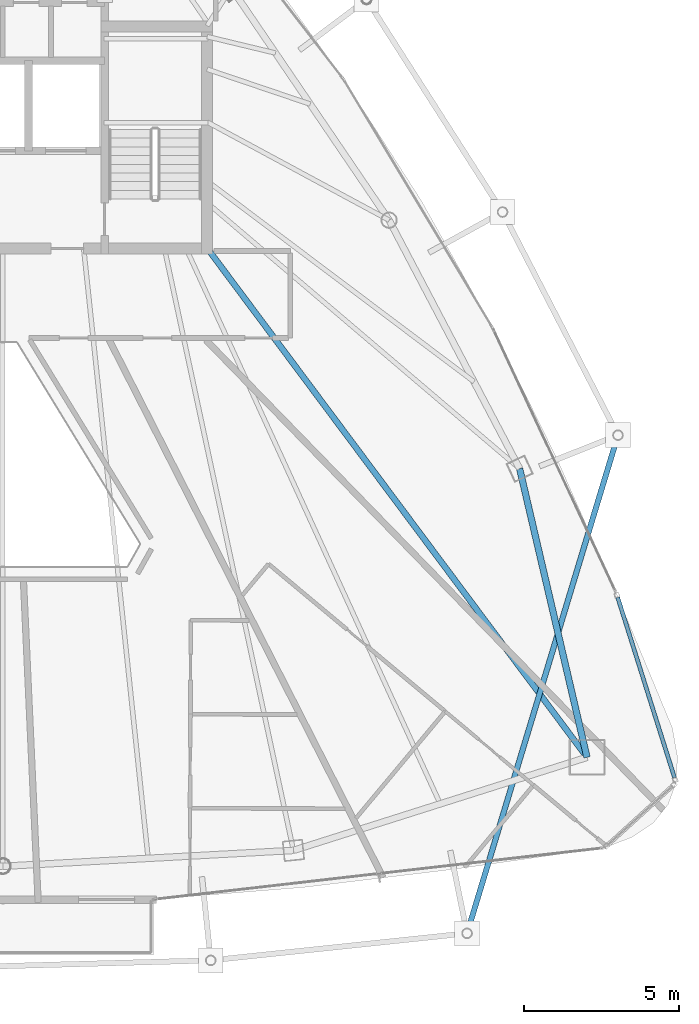
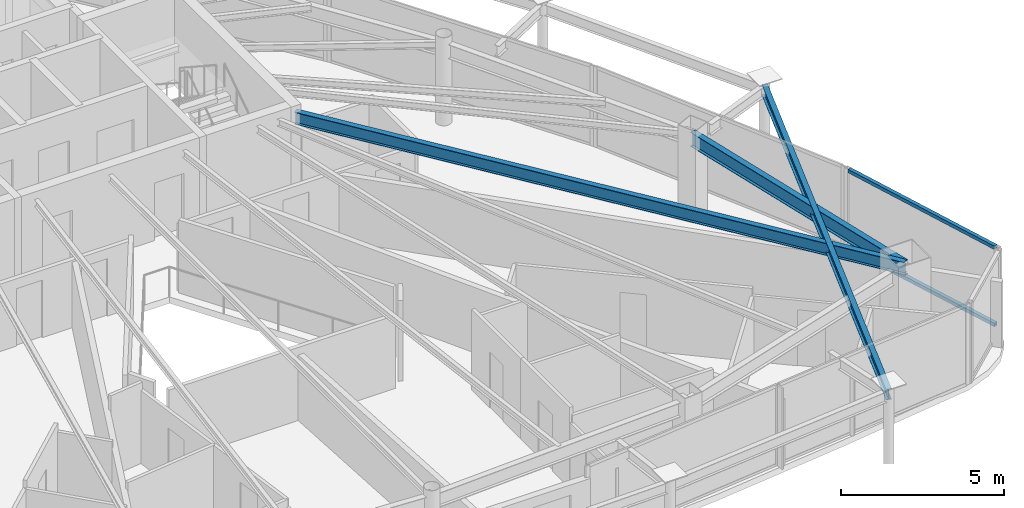
# One storey, part 15 of 30: 3 beams, 2 members, 1 element without a shape of its own.
"""IFC4 building model written with IfcOpenShell, lengths in metres."""

from ifc_helpers import new_model, si_unit, direction, frame, origin, origin_2d, place, context, subcontext, project, spatial, hollow_rectangle, i_section, extrude, material, layer, layer_set, material_profile, profile_set, type_object, element, aggregate, save


model = new_model("IFC4")

# Units and contexts
model_context = context("Model", 3, precision=1e-05, world=origin(), true_north=direction((0.0, 1.0)))
body_context = subcontext(model_context, "Body", "Model", "MODEL_VIEW")
ifc_project = project(units=[si_unit("LENGTHUNIT", "METRE"), si_unit("AREAUNIT", "SQUARE_METRE"), si_unit("VOLUMEUNIT", "CUBIC_METRE"), si_unit("PLANEANGLEUNIT", "RADIAN"), si_unit("MASSUNIT", "GRAM", prefix="KILO")], contexts=[model_context])

# Site, building, storey
site_placement = place(None, origin())
site = spatial("IfcSite", under=ifc_project, at=site_placement, CompositionType="ELEMENT")
building_placement = place(site_placement, origin())
building = spatial("IfcBuilding", under=site, at=building_placement, Name="Orvanel Arch Residences", CompositionType="ELEMENT")
storey_placement = place(building_placement, frame((0.0, 0.0, 273.35009765625)))
storey = spatial("IfcBuildingStorey", under=building, at=storey_placement, Name="L78", CompositionType="ELEMENT", Elevation=273.35009765625)

# Beams
ifc_material_1 = material(Name="Structural steel AS/NZS 3679.1 Grade 300 (300 MPa)", Category="steel")
ifc_material_profile_1 = material_profile(ifc_material_1, i_section(OverallWidth=0.19091796875, OverallDepth=0.4599609375, WebThickness=0.010009765625, FlangeThickness=0.01611328125, at=origin_2d()), Name="460UB82.1")
ifc_profile_set_1 = profile_set([ifc_material_profile_1], Name="Structural steel AS/NZS 3679.1 Grade 300 (300 MPa)")
beam_type_1 = type_object("IfcBeamType", Name="BG-460UB", PredefinedType="BEAM", material=ifc_profile_set_1)
beam_1_placement = place(storey_placement, frame((39.625, 26.675048828125, 2.789794921875), z_axis=(0.597893733742, -0.801575375839, 0.0), x_axis=(0.801575375839, 0.597893733742, 0.0)))
element("IfcBeam", 1, at=beam_1_placement, inside=storey, type_object=beam_type_1, Name="L78 South-East Radial Girder", PredefinedType="BEAM", context=body_context, shape_type="SweptSolid", body=[
    extrude(i_section(OverallWidth=0.19091796875, OverallDepth=0.4599609375, WebThickness=0.010009765625, FlangeThickness=0.01611328125, at=origin_2d()), origin(), (0.0, 0.0, 1.0), 20.36474609375),
])
ifc_material_profile_2 = material_profile(ifc_material_1, i_section(OverallWidth=0.177978515625, OverallDepth=0.406005859375, WebThickness=0.0078125, FlangeThickness=0.0126953125, at=origin_2d()), Name="410UB59.7")
ifc_profile_set_2 = profile_set([ifc_material_profile_2], Name="Structural steel AS/NZS 3679.1 Grade 300 (300 MPa)")
beam_type_2 = type_object("IfcBeamType", Name="OB-410UB-EXT", PredefinedType="SPANDREL", material=ifc_profile_set_2)
beam_2_placement = place(storey_placement, frame((47.93994140625, 4.68603515625, 2.81689453125), z_axis=(0.28994147739, 0.957044377074, 0.0), x_axis=(-0.957044377074, 0.28994147739, 0.0)))
element("IfcBeam", 2, at=beam_2_placement, inside=storey, type_object=beam_type_2, Name="L78 Outer Perimeter Floor Ring Beam 08", PredefinedType="SPANDREL", context=body_context, shape_type="SweptSolid", body=[
    extrude(i_section(OverallWidth=0.177978515625, OverallDepth=0.406005859375, WebThickness=0.0078125, FlangeThickness=0.0126953125, at=origin_2d()), origin(), (0.0, 0.0, 1.0), 16.755615234375),
])
ifc_material_profile_3 = material_profile(ifc_material_1, i_section(OverallWidth=0.208984375, OverallDepth=0.532958984375, WebThickness=0.01025390625, FlangeThickness=0.015625, at=origin_2d()), Name="530UB92.4")
ifc_profile_set_3 = profile_set([ifc_material_profile_3], Name="Structural steel AS/NZS 3679.1 Grade 300 (300 MPa)")
beam_type_3 = type_object("IfcBeamType", Name="SP-530UB", PredefinedType="SPANDREL", material=ifc_profile_set_3)
beam_3_placement = place(storey_placement, frame((51.801025390625, 10.35107421875, 2.7529296875), z_axis=(-0.227236087167, 0.973839699688, 0.0), x_axis=(-0.973839699688, -0.227236087167, 0.0)))
element("IfcBeam", 3, at=beam_3_placement, inside=storey, type_object=beam_type_3, Name="L78 Perimeter Spandrel Beam 06", PredefinedType="SPANDREL", context=body_context, shape_type="SweptSolid", body=[
    extrude(i_section(OverallWidth=0.208984375, OverallDepth=0.532958984375, WebThickness=0.01025390625, FlangeThickness=0.015625, at=origin_2d()), origin(), (0.0, 0.0, 1.0), 9.54052734375),
])

# Curtain wall, members
ifc_material_2 = material(Name="Bronze-anodised aluminium AA6063-T6", Category="aluminium")
ifc_layer = layer(ifc_material_2, 0.18994140625)
ifc_layer_set = layer_set([ifc_layer], Name="Bronze-anodised aluminium AA6063-T6")
curtain_wall_type = type_object("IfcCurtainWallType", Name="CW5-CRN-SYS", PredefinedType="NOTDEFINED", material=ifc_layer_set)
curtain_wall_placement = place(storey_placement, origin())
curtain_wall = element("IfcCurtainWall", 4, at=curtain_wall_placement, inside=storey, type_object=curtain_wall_type, Name="L78 CW5-CRN-SYS Unitised Curtain Wall", PredefinedType="NOTDEFINED")
ifc_material_profile_4 = material_profile(ifc_material_2, hollow_rectangle(XDim=0.1298828125, YDim=0.1298828125, WallThickness=0.00439453125, at=origin_2d()), Name="ALU130x130x4.5")
ifc_profile_set_4 = profile_set([ifc_material_profile_4], Name="Bronze-anodised aluminium AA6063-T6")
member_type = type_object("IfcMemberType", Name="TRN-130x130", PredefinedType="USERDEFINED", material=ifc_profile_set_4)
member_1_placement = place(storey_placement, frame((54.618896484375, 9.694091796875, 0.06494140625), z_axis=(-0.300691878419, 0.953721339938, 0.0), x_axis=(-0.953721339938, -0.300691878419, 0.0)))
member_1 = element("IfcMember", 5, at=member_1_placement, type_object=member_type, Name="CW-S5 transom 1.1", ObjectType="TRANSOM", PredefinedType="USERDEFINED", context=body_context, shape_type="SweptSolid", body=[
    extrude(hollow_rectangle(XDim=0.1298828125, YDim=0.1298828125, WallThickness=0.00439453125, at=origin_2d()), origin(), (0.0, 0.0, 1.0), 6.088623046875),
])
member_2_placement = place(storey_placement, frame((54.618896484375, 9.694091796875, 2.954833984375), z_axis=(-0.300691878419, 0.953721339938, 0.0), x_axis=(-0.953721339938, -0.300691878419, 0.0)))
member_2 = element("IfcMember", 6, at=member_2_placement, type_object=member_type, Name="CW-S5 transom 1.2", ObjectType="TRANSOM", PredefinedType="USERDEFINED", context=body_context, shape_type="SweptSolid", body=[
    extrude(hollow_rectangle(XDim=0.1298828125, YDim=0.1298828125, WallThickness=0.00439453125, at=origin_2d()), origin(), (0.0, 0.0, 1.0), 6.088623046875),
])
aggregate(curtain_wall, [member_1, member_2])

save(model, "model.ifc")
